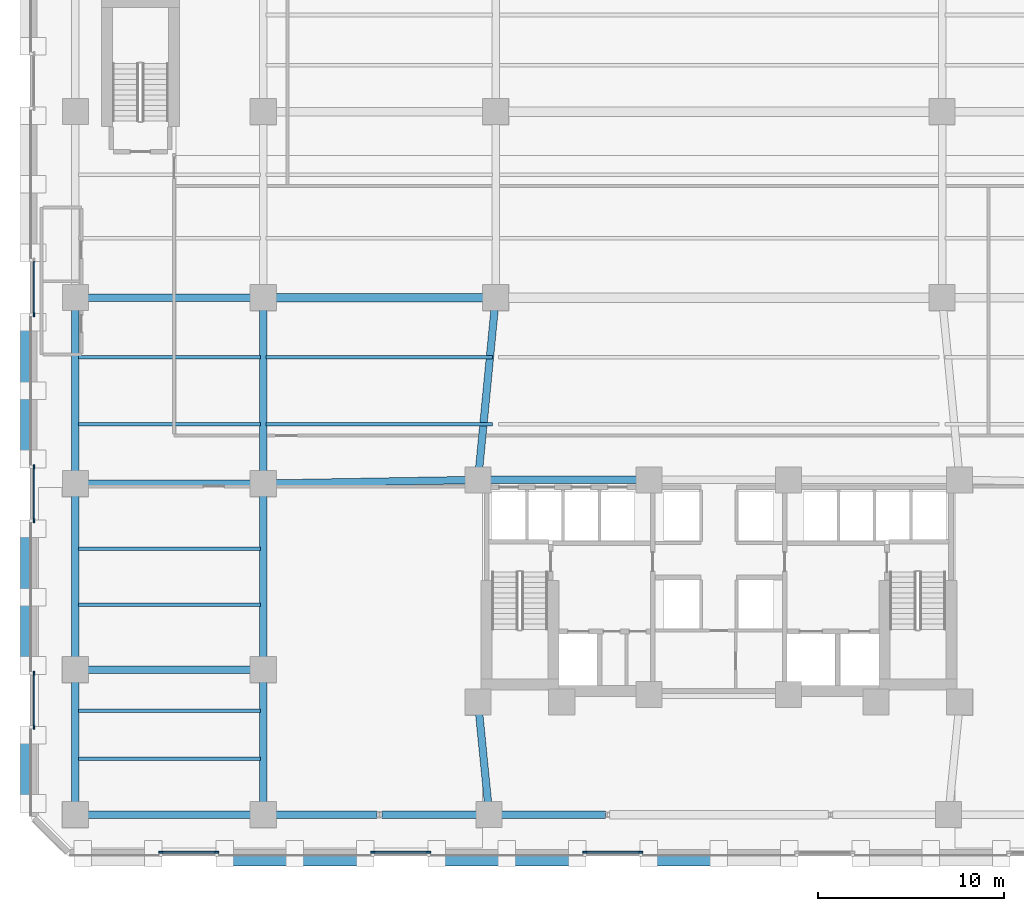
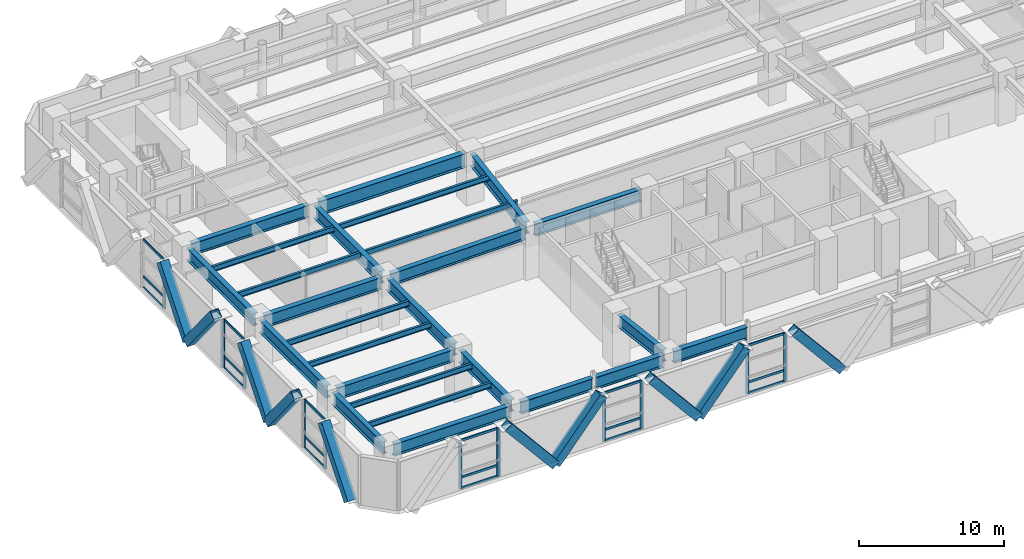
# One storey, part 6 of 26: 39 members, 26 beams, 6 elements without a shape of their own.
"""IFC4 building model written with IfcOpenShell, lengths in metres."""

from ifc_helpers import new_model, si_unit, direction, frame, origin, origin_2d, place, context, subcontext, project, spatial, rectangle, hollow_rectangle, i_section, extrude, material, material_profile, profile_set, type_object, element, aggregate, save


model = new_model("IFC4")

# Units and contexts
model_context = context("Model", 3, precision=1e-05, world=origin(), true_north=direction((0.0, 1.0)))
body_context = subcontext(model_context, "Body", "Model", "MODEL_VIEW")
ifc_project = project(units=[si_unit("LENGTHUNIT", "METRE"), si_unit("AREAUNIT", "SQUARE_METRE"), si_unit("VOLUMEUNIT", "CUBIC_METRE"), si_unit("PLANEANGLEUNIT", "RADIAN"), si_unit("MASSUNIT", "GRAM", prefix="KILO")], contexts=[model_context])

# Site, building, storey
site_placement = place(None, origin())
site = spatial("IfcSite", under=ifc_project, at=site_placement, CompositionType="ELEMENT")
building_placement = place(site_placement, origin())
building = spatial("IfcBuilding", under=site, at=building_placement, Name="Quenlor Broadcast Tower", CompositionType="ELEMENT")
storey_placement = place(building_placement, frame((0.0, 0.0, 18.5)))
storey = spatial("IfcBuildingStorey", under=building, at=storey_placement, Name="L04", CompositionType="ELEMENT", Elevation=18.5)

# Curtain wall, members
ifc_material_1 = material(Name="Architectural Terracotta and Low-E Glazing", Category="masonry")
curtain_wall_type = type_object("IfcCurtainWallType", Name="Station Concourse and Crown Terracotta Curtain Wall", PredefinedType="NOTDEFINED", material=ifc_material_1)
curtain_wall_1_placement = place(storey_placement, origin())
curtain_wall_1 = element("IfcCurtainWall", 1, at=curtain_wall_1_placement, inside=storey, type_object=curtain_wall_type, Name="L04 Curtain Wall CW6 (L04-S-FULL-G4)", PredefinedType="NOTDEFINED")
ifc_material_2 = material(Name="Aluminium 6063-T6", Category="aluminium")
ifc_material_profile_1 = material_profile(ifc_material_2, rectangle(XDim=0.08203125, YDim=0.239990234375, at=origin_2d()))
ifc_profile_set_1 = profile_set([ifc_material_profile_1], Name="Aluminium 6063-T6 MULL82x240")
member_type_1 = type_object("IfcMemberType", Name="CW6 Aluminium Mullion MULL_CW6", PredefinedType="MULLION", material=ifc_profile_set_1)
member_1_placement = place(storey_placement, frame((-4.2060546875, -24.820068359375, 0.0), z_axis=(0.0, 0.0, 1.0), x_axis=(0.0, -1.0, 0.0)))
member_1 = element("IfcMember", 2, at=member_1_placement, type_object=member_type_1, Name="CW6 mullion 1", PredefinedType="MULLION", context=body_context, shape_type="SweptSolid", body=[
    extrude(rectangle(XDim=0.08203125, YDim=0.239990234375, at=origin_2d()), origin(), (0.0, 0.0, 1.0), 4.080078125),
])
member_2_placement = place(storey_placement, frame((-7.19384765625, -24.820068359375, 0.0), z_axis=(0.0, 0.0, 1.0), x_axis=(0.0, -1.0, 0.0)))
member_2 = element("IfcMember", 3, at=member_2_placement, type_object=member_type_1, Name="CW6 mullion 2", PredefinedType="MULLION", context=body_context, shape_type="SweptSolid", body=[
    extrude(rectangle(XDim=0.08203125, YDim=0.239990234375, at=origin_2d()), origin(), (0.0, 0.0, 1.0), 4.080078125),
])

curtain_wall_2_placement = place(storey_placement, origin())
curtain_wall_2 = element("IfcCurtainWall", 4, at=curtain_wall_2_placement, inside=storey, type_object=curtain_wall_type, Name="L04 Curtain Wall CW6 (L04-S-FULL-G5)", PredefinedType="NOTDEFINED")
member_3_placement = place(storey_placement, frame((-15.606201171875, -24.820068359375, 0.0), z_axis=(0.0, 0.0, 1.0), x_axis=(0.0, -1.0, 0.0)))
member_3 = element("IfcMember", 5, at=member_3_placement, type_object=member_type_1, Name="CW6 mullion 1", PredefinedType="MULLION", context=body_context, shape_type="SweptSolid", body=[
    extrude(rectangle(XDim=0.08203125, YDim=0.239990234375, at=origin_2d()), origin(), (0.0, 0.0, 1.0), 4.080078125),
])
member_4_placement = place(storey_placement, frame((-18.593994140625, -24.820068359375, 0.0), z_axis=(0.0, 0.0, 1.0), x_axis=(0.0, -1.0, 0.0)))
member_4 = element("IfcMember", 6, at=member_4_placement, type_object=member_type_1, Name="CW6 mullion 2", PredefinedType="MULLION", context=body_context, shape_type="SweptSolid", body=[
    extrude(rectangle(XDim=0.08203125, YDim=0.239990234375, at=origin_2d()), origin(), (0.0, 0.0, 1.0), 4.080078125),
])

curtain_wall_3_placement = place(storey_placement, origin())
curtain_wall_3 = element("IfcCurtainWall", 7, at=curtain_wall_3_placement, inside=storey, type_object=curtain_wall_type, Name="L04 Curtain Wall CW6 (L04-S-FULL-G6)", PredefinedType="NOTDEFINED")
member_5_placement = place(storey_placement, frame((-27.006103515625, -24.820068359375, 0.0), z_axis=(0.0, 0.0, 1.0), x_axis=(0.0, -1.0, 0.0)))
member_5 = element("IfcMember", 8, at=member_5_placement, type_object=member_type_1, Name="CW6 mullion 1", PredefinedType="MULLION", context=body_context, shape_type="SweptSolid", body=[
    extrude(rectangle(XDim=0.08203125, YDim=0.239990234375, at=origin_2d()), origin(), (0.0, 0.0, 1.0), 4.080078125),
])
member_6_placement = place(storey_placement, frame((-29.993896484375, -24.820068359375, 0.0), z_axis=(0.0, 0.0, 1.0), x_axis=(0.0, -1.0, 0.0)))
member_6 = element("IfcMember", 9, at=member_6_placement, type_object=member_type_1, Name="CW6 mullion 2", PredefinedType="MULLION", context=body_context, shape_type="SweptSolid", body=[
    extrude(rectangle(XDim=0.08203125, YDim=0.239990234375, at=origin_2d()), origin(), (0.0, 0.0, 1.0), 4.080078125),
])

curtain_wall_4_placement = place(storey_placement, origin())
curtain_wall_4 = element("IfcCurtainWall", 10, at=curtain_wall_4_placement, inside=storey, type_object=curtain_wall_type, Name="L04 Curtain Wall CW6 (L04-W-FULL-G1)", PredefinedType="NOTDEFINED")
member_7_placement = place(storey_placement, frame((-36.820068359375, -18.093505859375, 0.0), z_axis=(0.0, 0.0, 1.0), x_axis=(-1.0, 0.0, 0.0)))
member_7 = element("IfcMember", 11, at=member_7_placement, type_object=member_type_1, Name="CW6 mullion 1", PredefinedType="MULLION", context=body_context, shape_type="SweptSolid", body=[
    extrude(rectangle(XDim=0.08203125, YDim=0.239990234375, at=origin_2d()), origin(), (0.0, 0.0, 1.0), 4.080078125),
])
member_8_placement = place(storey_placement, frame((-36.820068359375, -15.206298828125, 0.0), z_axis=(0.0, 0.0, 1.0), x_axis=(-1.0, 0.0, 0.0)))
member_8 = element("IfcMember", 12, at=member_8_placement, type_object=member_type_1, Name="CW6 mullion 2", PredefinedType="MULLION", context=body_context, shape_type="SweptSolid", body=[
    extrude(rectangle(XDim=0.08203125, YDim=0.239990234375, at=origin_2d()), origin(), (0.0, 0.0, 1.0), 4.080078125),
])

curtain_wall_5_placement = place(storey_placement, origin())
curtain_wall_5 = element("IfcCurtainWall", 13, at=curtain_wall_5_placement, inside=storey, type_object=curtain_wall_type, Name="L04 Curtain Wall CW6 (L04-W-FULL-G2)", PredefinedType="NOTDEFINED")
member_9_placement = place(storey_placement, frame((-36.820068359375, -6.99365234375, 0.0), z_axis=(0.0, 0.0, 1.0), x_axis=(-1.0, 0.0, 0.0)))
member_9 = element("IfcMember", 14, at=member_9_placement, type_object=member_type_1, Name="CW6 mullion 1", PredefinedType="MULLION", context=body_context, shape_type="SweptSolid", body=[
    extrude(rectangle(XDim=0.08203125, YDim=0.239990234375, at=origin_2d()), origin(), (0.0, 0.0, 1.0), 4.080078125),
])
member_10_placement = place(storey_placement, frame((-36.820068359375, -4.1064453125, 0.0), z_axis=(0.0, 0.0, 1.0), x_axis=(-1.0, 0.0, 0.0)))
member_10 = element("IfcMember", 15, at=member_10_placement, type_object=member_type_1, Name="CW6 mullion 2", PredefinedType="MULLION", context=body_context, shape_type="SweptSolid", body=[
    extrude(rectangle(XDim=0.08203125, YDim=0.239990234375, at=origin_2d()), origin(), (0.0, 0.0, 1.0), 4.080078125),
])

# Curtain wall, member
curtain_wall_6_placement = place(storey_placement, origin())
curtain_wall_6 = element("IfcCurtainWall", 16, at=curtain_wall_6_placement, inside=storey, type_object=curtain_wall_type, Name="L04 Curtain Wall CW6 (L04-W-FULL-G3)", PredefinedType="NOTDEFINED")
member_11_placement = place(storey_placement, frame((-36.820068359375, 4.1064453125, 0.0), z_axis=(0.0, 0.0, 1.0), x_axis=(-1.0, 0.0, 0.0)))
member_11 = element("IfcMember", 17, at=member_11_placement, type_object=member_type_1, Name="CW6 mullion 1", PredefinedType="MULLION", context=body_context, shape_type="SweptSolid", body=[
    extrude(rectangle(XDim=0.08203125, YDim=0.239990234375, at=origin_2d()), origin(), (0.0, 0.0, 1.0), 4.080078125),
])

# Member
ifc_material_3 = material(Name="Aluminium 6063-T6", Category="aluminium")
ifc_material_profile_2 = material_profile(ifc_material_3, rectangle(XDim=0.08203125, YDim=0.195068359375, at=origin_2d()))
ifc_profile_set_2 = profile_set([ifc_material_profile_2], Name="Aluminium 6063-T6 TRAN82x195")
member_type_2 = type_object("IfcMemberType", Name="CW6 Aluminium Transom TRAN_CW6", PredefinedType="USERDEFINED", material=ifc_profile_set_2)
member_12_placement = place(storey_placement, frame((-4.2470703125, -24.820068359375, 0.041015625), z_axis=(-1.0, 0.0, 0.0), x_axis=(0.0, -1.0, 0.0)))
member_12 = element("IfcMember", 18, at=member_12_placement, type_object=member_type_2, Name="CW6 transom 1.1", ObjectType="TRANSOM", PredefinedType="USERDEFINED", context=body_context, shape_type="SweptSolid", body=[
    extrude(rectangle(XDim=0.08203125, YDim=0.195068359375, at=origin_2d()), origin(), (0.0, 0.0, 1.0), 2.90576171875),
])

member_13_placement = place(storey_placement, frame((-4.2470703125, -24.820068359375, 0.949951171875), z_axis=(-1.0, 0.0, 0.0), x_axis=(0.0, -1.0, 0.0)))
member_13 = element("IfcMember", 19, at=member_13_placement, type_object=member_type_2, Name="CW6 transom 1.2", ObjectType="TRANSOM", PredefinedType="USERDEFINED", context=body_context, shape_type="SweptSolid", body=[
    extrude(rectangle(XDim=0.08203125, YDim=0.195068359375, at=origin_2d()), origin(), (0.0, 0.0, 1.0), 2.90576171875),
])

member_14_placement = place(storey_placement, frame((-4.2470703125, -24.820068359375, 4.0390625), z_axis=(-1.0, 0.0, 0.0), x_axis=(0.0, -1.0, 0.0)))
member_14 = element("IfcMember", 20, at=member_14_placement, type_object=member_type_2, Name="CW6 transom 1.3", ObjectType="TRANSOM", PredefinedType="USERDEFINED", context=body_context, shape_type="SweptSolid", body=[
    extrude(rectangle(XDim=0.08203125, YDim=0.195068359375, at=origin_2d()), origin(), (0.0, 0.0, 1.0), 2.90576171875),
])

aggregate(curtain_wall_1, [member_1, member_2, member_12, member_13, member_14])

member_15_placement = place(storey_placement, frame((-15.647216796875, -24.820068359375, 0.041015625), z_axis=(-1.0, 0.0, 0.0), x_axis=(0.0, -1.0, 0.0)))
member_15 = element("IfcMember", 21, at=member_15_placement, type_object=member_type_2, Name="CW6 transom 1.1", ObjectType="TRANSOM", PredefinedType="USERDEFINED", context=body_context, shape_type="SweptSolid", body=[
    extrude(rectangle(XDim=0.08203125, YDim=0.195068359375, at=origin_2d()), origin(), (0.0, 0.0, 1.0), 2.90576171875),
])

member_16_placement = place(storey_placement, frame((-15.647216796875, -24.820068359375, 0.949951171875), z_axis=(-1.0, 0.0, 0.0), x_axis=(0.0, -1.0, 0.0)))
member_16 = element("IfcMember", 22, at=member_16_placement, type_object=member_type_2, Name="CW6 transom 1.2", ObjectType="TRANSOM", PredefinedType="USERDEFINED", context=body_context, shape_type="SweptSolid", body=[
    extrude(rectangle(XDim=0.08203125, YDim=0.195068359375, at=origin_2d()), origin(), (0.0, 0.0, 1.0), 2.90576171875),
])

member_17_placement = place(storey_placement, frame((-15.647216796875, -24.820068359375, 4.0390625), z_axis=(-1.0, 0.0, 0.0), x_axis=(0.0, -1.0, 0.0)))
member_17 = element("IfcMember", 23, at=member_17_placement, type_object=member_type_2, Name="CW6 transom 1.3", ObjectType="TRANSOM", PredefinedType="USERDEFINED", context=body_context, shape_type="SweptSolid", body=[
    extrude(rectangle(XDim=0.08203125, YDim=0.195068359375, at=origin_2d()), origin(), (0.0, 0.0, 1.0), 2.90576171875),
])

aggregate(curtain_wall_2, [member_3, member_4, member_15, member_16, member_17])

member_18_placement = place(storey_placement, frame((-27.047119140625, -24.820068359375, 0.041015625), z_axis=(-1.0, 0.0, 0.0), x_axis=(0.0, -1.0, 0.0)))
member_18 = element("IfcMember", 24, at=member_18_placement, type_object=member_type_2, Name="CW6 transom 1.1", ObjectType="TRANSOM", PredefinedType="USERDEFINED", context=body_context, shape_type="SweptSolid", body=[
    extrude(rectangle(XDim=0.08203125, YDim=0.195068359375, at=origin_2d()), origin(), (0.0, 0.0, 1.0), 2.90576171875),
])

member_19_placement = place(storey_placement, frame((-27.047119140625, -24.820068359375, 0.949951171875), z_axis=(-1.0, 0.0, 0.0), x_axis=(0.0, -1.0, 0.0)))
member_19 = element("IfcMember", 25, at=member_19_placement, type_object=member_type_2, Name="CW6 transom 1.2", ObjectType="TRANSOM", PredefinedType="USERDEFINED", context=body_context, shape_type="SweptSolid", body=[
    extrude(rectangle(XDim=0.08203125, YDim=0.195068359375, at=origin_2d()), origin(), (0.0, 0.0, 1.0), 2.90576171875),
])

member_20_placement = place(storey_placement, frame((-27.047119140625, -24.820068359375, 4.0390625), z_axis=(-1.0, 0.0, 0.0), x_axis=(0.0, -1.0, 0.0)))
member_20 = element("IfcMember", 26, at=member_20_placement, type_object=member_type_2, Name="CW6 transom 1.3", ObjectType="TRANSOM", PredefinedType="USERDEFINED", context=body_context, shape_type="SweptSolid", body=[
    extrude(rectangle(XDim=0.08203125, YDim=0.195068359375, at=origin_2d()), origin(), (0.0, 0.0, 1.0), 2.90576171875),
])

aggregate(curtain_wall_3, [member_5, member_6, member_18, member_19, member_20])

member_21_placement = place(storey_placement, frame((-36.820068359375, -18.052490234375, 0.041015625), z_axis=(0.0, 1.0, 0.0), x_axis=(-1.0, 0.0, 0.0)))
member_21 = element("IfcMember", 27, at=member_21_placement, type_object=member_type_2, Name="CW6 transom 1.1", ObjectType="TRANSOM", PredefinedType="USERDEFINED", context=body_context, shape_type="SweptSolid", body=[
    extrude(rectangle(XDim=0.08203125, YDim=0.195068359375, at=origin_2d()), origin(), (0.0, 0.0, 1.0), 2.80517578125),
])

member_22_placement = place(storey_placement, frame((-36.820068359375, -18.052490234375, 0.949951171875), z_axis=(0.0, 1.0, 0.0), x_axis=(-1.0, 0.0, 0.0)))
member_22 = element("IfcMember", 28, at=member_22_placement, type_object=member_type_2, Name="CW6 transom 1.2", ObjectType="TRANSOM", PredefinedType="USERDEFINED", context=body_context, shape_type="SweptSolid", body=[
    extrude(rectangle(XDim=0.08203125, YDim=0.195068359375, at=origin_2d()), origin(), (0.0, 0.0, 1.0), 2.80517578125),
])

member_23_placement = place(storey_placement, frame((-36.820068359375, -18.052490234375, 4.0390625), z_axis=(0.0, 1.0, 0.0), x_axis=(-1.0, 0.0, 0.0)))
member_23 = element("IfcMember", 29, at=member_23_placement, type_object=member_type_2, Name="CW6 transom 1.3", ObjectType="TRANSOM", PredefinedType="USERDEFINED", context=body_context, shape_type="SweptSolid", body=[
    extrude(rectangle(XDim=0.08203125, YDim=0.195068359375, at=origin_2d()), origin(), (0.0, 0.0, 1.0), 2.80517578125),
])

aggregate(curtain_wall_4, [member_7, member_8, member_21, member_22, member_23])

member_24_placement = place(storey_placement, frame((-36.820068359375, -6.95263671875, 0.041015625), z_axis=(0.0, 1.0, 0.0), x_axis=(-1.0, 0.0, 0.0)))
member_24 = element("IfcMember", 30, at=member_24_placement, type_object=member_type_2, Name="CW6 transom 1.1", ObjectType="TRANSOM", PredefinedType="USERDEFINED", context=body_context, shape_type="SweptSolid", body=[
    extrude(rectangle(XDim=0.08203125, YDim=0.195068359375, at=origin_2d()), origin(), (0.0, 0.0, 1.0), 2.80517578125),
])

member_25_placement = place(storey_placement, frame((-36.820068359375, -6.95263671875, 0.949951171875), z_axis=(0.0, 1.0, 0.0), x_axis=(-1.0, 0.0, 0.0)))
member_25 = element("IfcMember", 31, at=member_25_placement, type_object=member_type_2, Name="CW6 transom 1.2", ObjectType="TRANSOM", PredefinedType="USERDEFINED", context=body_context, shape_type="SweptSolid", body=[
    extrude(rectangle(XDim=0.08203125, YDim=0.195068359375, at=origin_2d()), origin(), (0.0, 0.0, 1.0), 2.80517578125),
])

member_26_placement = place(storey_placement, frame((-36.820068359375, -6.95263671875, 4.0390625), z_axis=(0.0, 1.0, 0.0), x_axis=(-1.0, 0.0, 0.0)))
member_26 = element("IfcMember", 32, at=member_26_placement, type_object=member_type_2, Name="CW6 transom 1.3", ObjectType="TRANSOM", PredefinedType="USERDEFINED", context=body_context, shape_type="SweptSolid", body=[
    extrude(rectangle(XDim=0.08203125, YDim=0.195068359375, at=origin_2d()), origin(), (0.0, 0.0, 1.0), 2.80517578125),
])

aggregate(curtain_wall_5, [member_9, member_10, member_24, member_25, member_26])

member_27_placement = place(storey_placement, frame((-36.820068359375, 4.1474609375, 0.041015625), z_axis=(0.0, 1.0, 0.0), x_axis=(-1.0, 0.0, 0.0)))
member_27 = element("IfcMember", 33, at=member_27_placement, type_object=member_type_2, Name="CW6 transom 1.1", ObjectType="TRANSOM", PredefinedType="USERDEFINED", context=body_context, shape_type="SweptSolid", body=[
    extrude(rectangle(XDim=0.08203125, YDim=0.195068359375, at=origin_2d()), origin(), (0.0, 0.0, 1.0), 2.80517578125),
])

member_28_placement = place(storey_placement, frame((-36.820068359375, 4.1474609375, 0.949951171875), z_axis=(0.0, 1.0, 0.0), x_axis=(-1.0, 0.0, 0.0)))
member_28 = element("IfcMember", 34, at=member_28_placement, type_object=member_type_2, Name="CW6 transom 1.2", ObjectType="TRANSOM", PredefinedType="USERDEFINED", context=body_context, shape_type="SweptSolid", body=[
    extrude(rectangle(XDim=0.08203125, YDim=0.195068359375, at=origin_2d()), origin(), (0.0, 0.0, 1.0), 2.80517578125),
])

member_29_placement = place(storey_placement, frame((-36.820068359375, 4.1474609375, 4.0390625), z_axis=(0.0, 1.0, 0.0), x_axis=(-1.0, 0.0, 0.0)))
member_29 = element("IfcMember", 35, at=member_29_placement, type_object=member_type_2, Name="CW6 transom 1.3", ObjectType="TRANSOM", PredefinedType="USERDEFINED", context=body_context, shape_type="SweptSolid", body=[
    extrude(rectangle(XDim=0.08203125, YDim=0.195068359375, at=origin_2d()), origin(), (0.0, 0.0, 1.0), 2.80517578125),
])

aggregate(curtain_wall_6, [member_11, member_27, member_28, member_29])

# Members
ifc_material_4 = material(Name="Steel S355", Category="steel")
ifc_material_profile_3 = material_profile(ifc_material_4, hollow_rectangle(XDim=0.679931640625, YDim=0.679931640625, WallThickness=0.034912109375, at=origin_2d()))
ifc_profile_set_3 = profile_set([ifc_material_profile_3], Name="Steel S355 RHS680x680x35")
member_type_3 = type_object("IfcMemberType", Name="Perimeter Diagonal Lattice Brace Z1 Steel S355 RHS680x35", PredefinedType="BRACE", material=ifc_profile_set_3)
for number, where, z_axis, x_axis, name in (
    (36, (-0.022705078125, -25.215087890625, -0.1201171875), (-0.640626831312, 0.0, 0.767852370578), (0.0, -1.0, 0.0), "L04 Podium Diamond Lattice S-P4S"),
    (37, (-11.377197265625, -25.215087890625, -0.1201171875), (0.640626831312, 0.0, 0.767852370578), (0.0, 1.0, 0.0), "L04 Podium Diamond Lattice S-P4B"),
    (38, (-11.4228515625, -25.215087890625, -0.1201171875), (-0.640626831312, 0.0, 0.767852370578), (0.0, -1.0, 0.0), "L04 Podium Diamond Lattice S-P5S"),
    (39, (-22.777099609375, -25.215087890625, -0.1201171875), (0.640626831312, 0.0, 0.767852370578), (0.0, 1.0, 0.0), "L04 Podium Diamond Lattice S-P5B"),
    (40, (-22.82275390625, -25.215087890625, -0.1201171875), (-0.640626831312, 0.0, 0.767852370578), (0.0, -1.0, 0.0), "L04 Podium Diamond Lattice S-P6S"),
):
    element("IfcMember", number, at=place(storey_placement, frame(where, z_axis=z_axis, x_axis=x_axis)), inside=storey, type_object=member_type_3, Name=name, PredefinedType="BRACE", context=body_context, shape_type="SweptSolid", body=[
        extrude(hollow_rectangle(XDim=0.679931640625, YDim=0.679931640625, WallThickness=0.034912109375, at=origin_2d()), origin(), (0.0, 0.0, 1.0), 5.860595703125),
    ])
for number, where, z_axis, x_axis, name in (
    (41, (-37.215087890625, -22.177734375, -0.1201171875), (0.0, 0.630516526394, 0.776175824117), (-1.0, 0.0, 0.0), "L04 Podium Diamond Lattice W-P1S"),
    (42, (-37.215087890625, -11.122314453125, -0.1201171875), (0.0, -0.630516526394, 0.776175824117), (1.0, 0.0, 0.0), "L04 Podium Diamond Lattice W-P1B"),
):
    element("IfcMember", number, at=place(storey_placement, frame(where, z_axis=z_axis, x_axis=x_axis)), inside=storey, type_object=member_type_3, Name=name, PredefinedType="BRACE", context=body_context, shape_type="SweptSolid", body=[
        extrude(hollow_rectangle(XDim=0.679931640625, YDim=0.679931640625, WallThickness=0.034912109375, at=origin_2d()), origin(), (0.0, 0.0, 1.0), 5.797607421875),
    ])
member_30_placement = place(storey_placement, frame((-37.215087890625, -11.077880859375, -0.1201171875), z_axis=(0.0, 0.630541894648, 0.776155215851), x_axis=(-1.0, 0.0, 0.0)))
element("IfcMember", 43, at=member_30_placement, inside=storey, type_object=member_type_3, Name="L04 Podium Diamond Lattice W-P2S", PredefinedType="BRACE", context=body_context, shape_type="SweptSolid", body=[
    extrude(hollow_rectangle(XDim=0.679931640625, YDim=0.679931640625, WallThickness=0.034912109375, at=origin_2d()), origin(), (0.0, 0.0, 1.0), 5.7978515625),
])
for number, where, z_axis, x_axis, name in (
    (44, (-37.215087890625, -0.022216796875, -0.1201171875), (0.0, -0.630516526394, 0.776175824117), (1.0, 0.0, 0.0), "L04 Podium Diamond Lattice W-P2B"),
    (45, (-37.215087890625, 0.022216796875, -0.1201171875), (0.0, 0.630516526394, 0.776175824117), (-1.0, 0.0, 0.0), "L04 Podium Diamond Lattice W-P3S"),
):
    element("IfcMember", number, at=place(storey_placement, frame(where, z_axis=z_axis, x_axis=x_axis)), inside=storey, type_object=member_type_3, Name=name, PredefinedType="BRACE", context=body_context, shape_type="SweptSolid", body=[
        extrude(hollow_rectangle(XDim=0.679931640625, YDim=0.679931640625, WallThickness=0.034912109375, at=origin_2d()), origin(), (0.0, 0.0, 1.0), 5.797607421875),
    ])

# Beams
ifc_material_5 = material(Name="Steel S355", Category="steel")
ifc_material_profile_4 = material_profile(ifc_material_5, i_section(OverallWidth=0.39990234375, OverallDepth=1.02392578125, WebThickness=0.01611328125, FlangeThickness=0.031982421875, FilletRadius=0.01611328125, at=origin_2d()))
ifc_profile_set_4 = profile_set([ifc_material_profile_4], Name="Steel S355 1000WB322")
beam_type_1 = type_object("IfcBeamType", Name="Podium Concourse Girder Steel S355 1000WB322", PredefinedType="BEAM", material=ifc_profile_set_4)
beam_1_placement = place(storey_placement, frame((-34.179931640625, -22.800048828125, 3.568115234375), z_axis=(1.0, 0.0, 0.0), x_axis=(0.0, 1.0, 0.0)))
element("IfcBeam", 46, at=beam_1_placement, inside=storey, type_object=beam_type_1, Name="L04 Podium Girder 1", PredefinedType="BEAM", context=body_context, shape_type="SweptSolid", body=[
    extrude(i_section(OverallWidth=0.39990234375, OverallDepth=1.02392578125, WebThickness=0.01611328125, FlangeThickness=0.031982421875, FilletRadius=0.01611328125, at=origin_2d()), origin(), (0.0, 0.0, 1.0), 9.260009765625),
])
beam_2_placement = place(storey_placement, frame((-24.080078125, -22.800048828125, 3.568115234375), z_axis=(1.0, 0.0, 0.0), x_axis=(0.0, 1.0, 0.0)))
element("IfcBeam", 47, at=beam_2_placement, inside=storey, type_object=beam_type_1, Name="L04 Podium Girder 2", PredefinedType="BEAM", context=body_context, shape_type="SweptSolid", body=[
    extrude(i_section(OverallWidth=0.39990234375, OverallDepth=1.02392578125, WebThickness=0.01611328125, FlangeThickness=0.031982421875, FilletRadius=0.01611328125, at=origin_2d()), origin(), (0.0, 0.0, 1.0), 5.694580078125),
])
beam_3_placement = place(storey_placement, frame((-18.114501953125, -22.800048828125, 3.568115234375), z_axis=(1.0, 0.0, 0.0), x_axis=(0.0, 1.0, 0.0)))
element("IfcBeam", 48, at=beam_3_placement, inside=storey, type_object=beam_type_1, Name="L04 Podium Girder 3", PredefinedType="BEAM", context=body_context, shape_type="SweptSolid", body=[
    extrude(i_section(OverallWidth=0.39990234375, OverallDepth=1.02392578125, WebThickness=0.01611328125, FlangeThickness=0.031982421875, FilletRadius=0.01611328125, at=origin_2d()), origin(), (0.0, 0.0, 1.0), 5.344482421875),
])
beam_4_placement = place(storey_placement, frame((-11.929931640625, -22.800048828125, 3.568115234375), z_axis=(1.0, 0.0, 0.0), x_axis=(0.0, 1.0, 0.0)))
element("IfcBeam", 49, at=beam_4_placement, inside=storey, type_object=beam_type_1, Name="L04 Podium Girder 4", PredefinedType="BEAM", context=body_context, shape_type="SweptSolid", body=[
    extrude(i_section(OverallWidth=0.39990234375, OverallDepth=1.02392578125, WebThickness=0.01611328125, FlangeThickness=0.031982421875, FilletRadius=0.01611328125, at=origin_2d()), origin(), (0.0, 0.0, 1.0), 5.822021484375),
])
for number, where, z_axis, x_axis, name in (
    (50, (-34.179931640625, -15.0, 3.568115234375), (1.0, 0.0, 0.0), (0.0, 1.0, 0.0), "L04 Podium Girder 10"),
    (51, (-34.179931640625, -5.0, 3.568115234375), (1.0, 0.0, 0.0), (0.0, 1.0, 0.0), "L04 Podium Girder 12"),
    (52, (-34.179931640625, 5.0, 3.568115234375), (1.0, 0.0, 0.0), (0.0, 1.0, 0.0), "L04 Podium Girder 14"),
):
    element("IfcBeam", number, at=place(storey_placement, frame(where, z_axis=z_axis, x_axis=x_axis)), inside=storey, type_object=beam_type_1, Name=name, PredefinedType="BEAM", context=body_context, shape_type="SweptSolid", body=[
        extrude(i_section(OverallWidth=0.39990234375, OverallDepth=1.02392578125, WebThickness=0.01611328125, FlangeThickness=0.031982421875, FilletRadius=0.01611328125, at=origin_2d()), origin(), (0.0, 0.0, 1.0), 9.260009765625),
    ])
beam_5_placement = place(storey_placement, frame((-34.60009765625, -22.3798828125, 3.568115234375), z_axis=(0.0, 1.0, 0.0), x_axis=(-1.0, 0.0, 0.0)))
element("IfcBeam", 53, at=beam_5_placement, inside=storey, type_object=beam_type_1, Name="L04 Podium Girder 34", PredefinedType="BEAM", context=body_context, shape_type="SweptSolid", body=[
    extrude(i_section(OverallWidth=0.39990234375, OverallDepth=1.02392578125, WebThickness=0.01611328125, FlangeThickness=0.031982421875, FilletRadius=0.01611328125, at=origin_2d()), origin(), (0.0, 0.0, 1.0), 6.9599609375),
])
for number, where, z_axis, x_axis, name in (
    (54, (-34.60009765625, -14.580078125, 3.568115234375), (0.0, 1.0, 0.0), (-1.0, 0.0, 0.0), "L04 Podium Girder 35"),
    (55, (-34.60009765625, -4.580078125, 3.568115234375), (0.0, 1.0, 0.0), (-1.0, 0.0, 0.0), "L04 Podium Girder 36"),
):
    element("IfcBeam", number, at=place(storey_placement, frame(where, z_axis=z_axis, x_axis=x_axis)), inside=storey, type_object=beam_type_1, Name=name, PredefinedType="BEAM", context=body_context, shape_type="SweptSolid", body=[
        extrude(i_section(OverallWidth=0.39990234375, OverallDepth=1.02392578125, WebThickness=0.01611328125, FlangeThickness=0.031982421875, FilletRadius=0.01611328125, at=origin_2d()), origin(), (0.0, 0.0, 1.0), 9.16015625),
    ])
beam_6_placement = place(storey_placement, frame((-24.5, -22.3798828125, 3.568115234375), z_axis=(0.0, 1.0, 0.0), x_axis=(-1.0, 0.0, 0.0)))
element("IfcBeam", 56, at=beam_6_placement, inside=storey, type_object=beam_type_1, Name="L04 Podium Girder 39", PredefinedType="BEAM", context=body_context, shape_type="SweptSolid", body=[
    extrude(i_section(OverallWidth=0.39990234375, OverallDepth=1.02392578125, WebThickness=0.01611328125, FlangeThickness=0.031982421875, FilletRadius=0.01611328125, at=origin_2d()), origin(), (0.0, 0.0, 1.0), 6.9599609375),
])
for number, where, z_axis, x_axis, name in (
    (57, (-24.5, -14.580078125, 3.568115234375), (0.0, 1.0, 0.0), (-1.0, 0.0, 0.0), "L04 Podium Girder 40"),
    (58, (-24.5, -4.580078125, 3.568115234375), (0.0, 1.0, 0.0), (-1.0, 0.0, 0.0), "L04 Podium Girder 41"),
):
    element("IfcBeam", number, at=place(storey_placement, frame(where, z_axis=z_axis, x_axis=x_axis)), inside=storey, type_object=beam_type_1, Name=name, PredefinedType="BEAM", context=body_context, shape_type="SweptSolid", body=[
        extrude(i_section(OverallWidth=0.39990234375, OverallDepth=1.02392578125, WebThickness=0.01611328125, FlangeThickness=0.031982421875, FilletRadius=0.01611328125, at=origin_2d()), origin(), (0.0, 0.0, 1.0), 9.16015625),
    ])
beam_7_placement = place(storey_placement, frame((-12.913330078125, -4.421875, 3.568115234375), z_axis=(0.096489068192, 0.995334044288, 0.0), x_axis=(-0.995334044288, 0.096489068192, 0.0)))
element("IfcBeam", 59, at=beam_7_placement, inside=storey, type_object=beam_type_1, Name="L04 Podium Concourse Girder 1", PredefinedType="BEAM", context=body_context, shape_type="SweptSolid", body=[
    extrude(i_section(OverallWidth=0.39990234375, OverallDepth=1.02392578125, WebThickness=0.01611328125, FlangeThickness=0.031982421875, FilletRadius=0.01611328125, at=origin_2d()), origin(), (0.0, 0.0, 1.0), 9.086181640625),
])
beam_8_placement = place(storey_placement, frame((-12.91259765625, -17.128173828125, 3.568115234375), z_axis=(0.098717586069, -0.995115489881, 0.0), x_axis=(0.995115489881, 0.098717586069, 0.0)))
element("IfcBeam", 60, at=beam_8_placement, inside=storey, type_object=beam_type_1, Name="L04 Podium Concourse Girder 3", PredefinedType="BEAM", context=body_context, shape_type="SweptSolid", body=[
    extrude(i_section(OverallWidth=0.39990234375, OverallDepth=1.02392578125, WebThickness=0.01611328125, FlangeThickness=0.031982421875, FilletRadius=0.01611328125, at=origin_2d()), origin(), (0.0, 0.0, 1.0), 5.319580078125),
])
beam_9_placement = place(storey_placement, frame((-13.329833984375, -4.806640625, 3.568115234375), z_axis=(-0.999850235211, -0.017306274859, 0.0), x_axis=(0.017306274859, -0.999850235211, 0.0)))
element("IfcBeam", 61, at=beam_9_placement, inside=storey, type_object=beam_type_1, Name="L04 Podium Concourse Girder 5", PredefinedType="BEAM", context=body_context, shape_type="SweptSolid", body=[
    extrude(i_section(OverallWidth=0.39990234375, OverallDepth=1.02392578125, WebThickness=0.01611328125, FlangeThickness=0.031982421875, FilletRadius=0.01611328125, at=origin_2d()), origin(), (0.0, 0.0, 1.0), 10.7919921875),
])
beam_10_placement = place(storey_placement, frame((-12.570068359375, -4.800048828125, 3.568115234375), z_axis=(1.0, 0.0, 0.0), x_axis=(0.0, 1.0, 0.0)))
element("IfcBeam", 62, at=beam_10_placement, inside=storey, type_object=beam_type_1, Name="L04 Podium Concourse Girder 9", PredefinedType="BEAM", context=body_context, shape_type="SweptSolid", body=[
    extrude(i_section(OverallWidth=0.39990234375, OverallDepth=1.02392578125, WebThickness=0.01611328125, FlangeThickness=0.031982421875, FilletRadius=0.01611328125, at=origin_2d()), origin(), (0.0, 0.0, 1.0), 8.440185546875),
])
ifc_material_6 = material(Name="Steel S355", Category="steel")
ifc_material_profile_5 = material_profile(ifc_material_6, i_section(OverallWidth=0.18994140625, OverallDepth=0.453857421875, WebThickness=0.008544921875, FlangeThickness=0.0126953125, FilletRadius=0.011474609375, at=origin_2d()))
ifc_profile_set_5 = profile_set([ifc_material_profile_5], Name="Steel S355 460UB67.1")
beam_type_2 = type_object("IfcBeamType", Name="Podium Floor Joist Steel S355 460UB67.1", PredefinedType="JOIST", material=ifc_profile_set_5)
for number, where, z_axis, x_axis, name in (
    (63, (-34.43994140625, -19.800048828125, 3.85302734375), (1.0, 0.0, 0.0), (0.0, 1.0, 0.0), "L04 Podium Floor Joist 21"),
    (64, (-34.43994140625, -17.199951171875, 3.85302734375), (1.0, 0.0, 0.0), (0.0, 1.0, 0.0), "L04 Podium Floor Joist 23"),
    (65, (-34.43994140625, -11.5, 3.85302734375), (1.0, 0.0, 0.0), (0.0, 1.0, 0.0), "L04 Podium Floor Joist 25"),
    (66, (-34.43994140625, -8.5, 3.85302734375), (1.0, 0.0, 0.0), (0.0, 1.0, 0.0), "L04 Podium Floor Joist 27"),
    (67, (-34.43994140625, -1.800048828125, 3.85302734375), (1.0, 0.0, 0.0), (0.0, 1.0, 0.0), "L04 Podium Floor Joist 29"),
    (68, (-34.43994140625, 1.800048828125, 3.85302734375), (1.0, 0.0, 0.0), (0.0, 1.0, 0.0), "L04 Podium Floor Joist 31"),
):
    element("IfcBeam", number, at=place(storey_placement, frame(where, z_axis=z_axis, x_axis=x_axis)), inside=storey, type_object=beam_type_2, Name=name, PredefinedType="JOIST", context=body_context, shape_type="SweptSolid", body=[
        extrude(i_section(OverallWidth=0.18994140625, OverallDepth=0.453857421875, WebThickness=0.008544921875, FlangeThickness=0.0126953125, FilletRadius=0.011474609375, at=origin_2d()), origin(), (0.0, 0.0, 1.0), 9.780029296875),
    ])
for number, where, z_axis, x_axis, name in (
    (69, (-24.340087890625, -1.800048828125, 3.85302734375), (1.0, 0.0, 0.0), (0.0, 1.0, 0.0), "L04 Podium Floor Joist 33"),
    (70, (-24.340087890625, 1.800048828125, 3.85302734375), (1.0, 0.0, 0.0), (0.0, 1.0, 0.0), "L04 Podium Floor Joist 36"),
):
    element("IfcBeam", number, at=place(storey_placement, frame(where, z_axis=z_axis, x_axis=x_axis)), inside=storey, type_object=beam_type_2, Name=name, PredefinedType="JOIST", context=body_context, shape_type="SweptSolid", body=[
        extrude(i_section(OverallWidth=0.18994140625, OverallDepth=0.453857421875, WebThickness=0.008544921875, FlangeThickness=0.0126953125, FilletRadius=0.011474609375, at=origin_2d()), origin(), (0.0, 0.0, 1.0), 12.18017578125),
    ])
ifc_material_7 = material(Name="Steel S355", Category="steel")
ifc_material_profile_6 = material_profile(ifc_material_7, i_section(OverallWidth=0.449951171875, OverallDepth=1.18798828125, WebThickness=0.01806640625, FlangeThickness=0.031982421875, FilletRadius=0.01611328125, at=origin_2d()))
ifc_profile_set_6 = profile_set([ifc_material_profile_6], Name="Steel S355 1200WB392")
beam_type_3 = type_object("IfcBeamType", Name="Podium Secondary Studio Girder Steel S355 1200WB392", PredefinedType="BEAM", material=ifc_profile_set_6)
beam_11_placement = place(storey_placement, frame((-24.080078125, 5.0, 3.486083984375), z_axis=(1.0, 0.0, 0.0), x_axis=(0.0, 1.0, 0.0)))
element("IfcBeam", 71, at=beam_11_placement, inside=storey, type_object=beam_type_3, Name="L04 Podium Girder 15", PredefinedType="BEAM", context=body_context, shape_type="SweptSolid", body=[
    extrude(i_section(OverallWidth=0.449951171875, OverallDepth=1.18798828125, WebThickness=0.01806640625, FlangeThickness=0.031982421875, FilletRadius=0.01611328125, at=origin_2d()), origin(), (0.0, 0.0, 1.0), 11.66015625),
])

save(model, "model.ifc")
